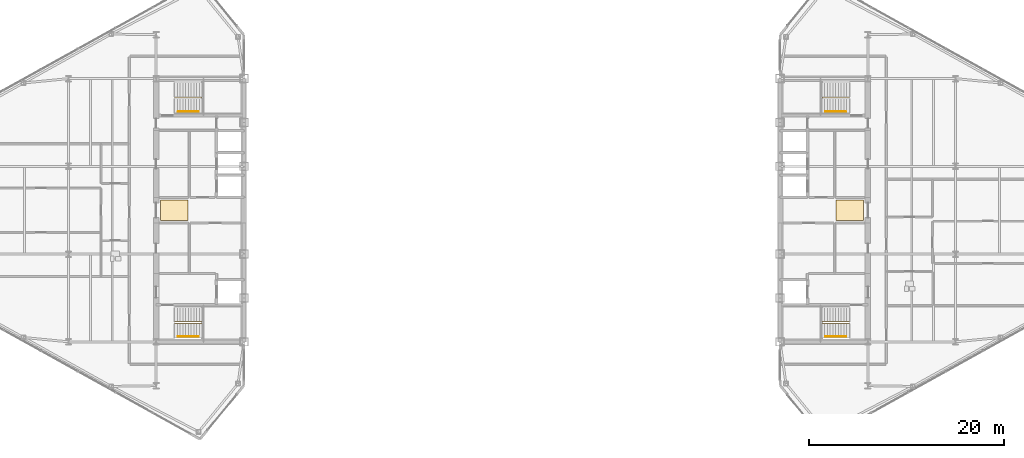
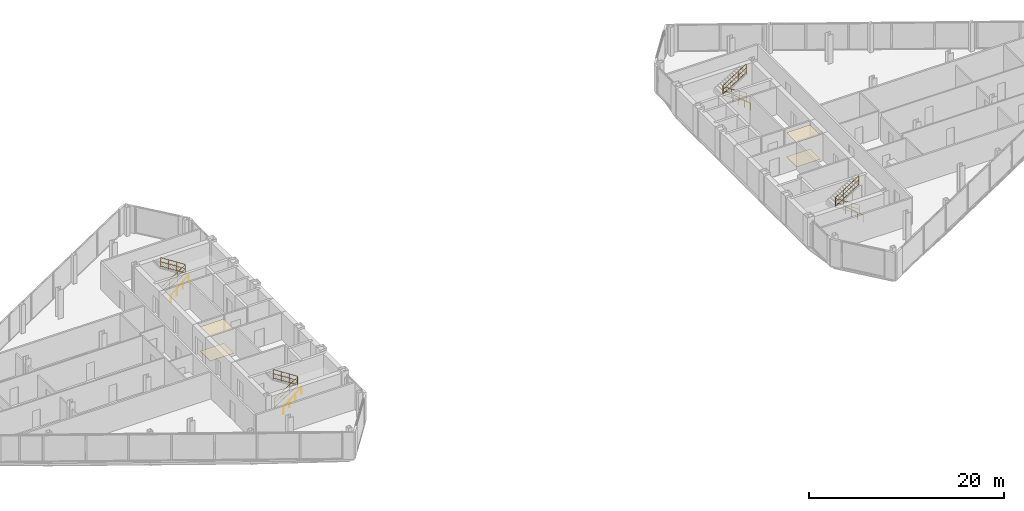
# One storey, part 24 of 25: 8 railings, 4 coverings.
"""IFC4 building model written with IfcOpenShell, lengths in metres."""

from ifc_helpers import new_model, si_unit, direction, frame, origin, origin_2d, place, context, subcontext, project, spatial, polyline, circle, outline, extrude, material, layer, layer_set, type_object, element, save


model = new_model("IFC4")

# Units and contexts
model_context = context("Model", 3, precision=1e-05, world=origin(), true_north=direction((0.0, 1.0)))
body_context = subcontext(model_context, "Body", "Model", "MODEL_VIEW")
ifc_project = project(units=[si_unit("LENGTHUNIT", "METRE"), si_unit("AREAUNIT", "SQUARE_METRE"), si_unit("VOLUMEUNIT", "CUBIC_METRE"), si_unit("PLANEANGLEUNIT", "RADIAN"), si_unit("MASSUNIT", "GRAM", prefix="KILO")], contexts=[model_context])

# Site, building, storey
site_placement = place(None, origin())
site = spatial("IfcSite", under=ifc_project, at=site_placement, CompositionType="ELEMENT")
building_placement = place(site_placement, origin())
building = spatial("IfcBuilding", under=site, at=building_placement, Name="Seokmaru Belvedere", CompositionType="ELEMENT")
storey_placement = place(building_placement, frame((0.0, 0.0, 188.699951171875)))
storey = spatial("IfcBuildingStorey", under=building, at=storey_placement, Name="L50", CompositionType="ELEMENT", Elevation=188.699951171875)

# Coverings
ifc_material_1 = material(Name="Engineered White Oak Timber", Category="wood")
ifc_layer_1 = layer(ifc_material_1, 0.02197265625)
ifc_layer_set_1 = layer_set([ifc_layer_1], Name="Engineered White Oak Timber")
covering_type_1 = type_object("IfcCoveringType", Name="Engineered Oak Residence Floor Finish 22", PredefinedType="FLOORING", material=ifc_layer_set_1)
covering_1_placement = place(storey_placement, origin())
element("IfcCovering", 1, at=covering_1_placement, inside=storey, type_object=covering_type_1, Name="L50 W Foyer Floor Finish", PredefinedType="FLOORING", context=body_context, shape_type="SweptSolid", body=[
    extrude(outline(polyline([(-36.050048828125, -1.050048828125), (-33.25, -1.050048828125), (-33.25, 1.050048828125), (-36.050048828125, 1.050048828125), (-36.050048828125, -1.050048828125)])), origin(), (0.0, 0.0, 1.0), 0.02197265625),
])
covering_2_placement = place(storey_placement, origin())
element("IfcCovering", 2, at=covering_2_placement, inside=storey, type_object=covering_type_1, Name="L50 E Foyer Floor Finish", PredefinedType="FLOORING", context=body_context, shape_type="SweptSolid", body=[
    extrude(outline(polyline([(33.25, -1.050048828125), (36.050048828125, -1.050048828125), (36.050048828125, 1.050048828125), (33.25, 1.050048828125), (33.25, -1.050048828125)])), origin(), (0.0, 0.0, 1.0), 0.02197265625),
])
ifc_material_2 = material(Name="Fire-Rated Gypsum Shaftwall")
ifc_layer_2 = layer(ifc_material_2, 0.02490234375)
ifc_layer_set_2 = layer_set([ifc_layer_2], Name="Fire-Rated Gypsum Shaftwall")
covering_type_2 = type_object("IfcCoveringType", Name="Perforated Acoustic Gypsum Suspended Ceiling 25", PredefinedType="CEILING", material=ifc_layer_set_2)
covering_3_placement = place(storey_placement, frame((0.0, 0.0, 3.030029296875)))
element("IfcCovering", 3, at=covering_3_placement, inside=storey, type_object=covering_type_2, Name="L50 W Lift Foyer Acoustic Ceiling", PredefinedType="CEILING", context=body_context, shape_type="SweptSolid", body=[
    extrude(outline(polyline([(-36.050048828125, -1.050048828125), (-33.25, -1.050048828125), (-33.25, 1.050048828125), (-36.050048828125, 1.050048828125), (-36.050048828125, -1.050048828125)])), origin(), (0.0, 0.0, 1.0), 0.02490234375),
])
covering_4_placement = place(storey_placement, frame((0.0, 0.0, 3.030029296875)))
element("IfcCovering", 4, at=covering_4_placement, inside=storey, type_object=covering_type_2, Name="L50 E Lift Foyer Acoustic Ceiling", PredefinedType="CEILING", context=body_context, shape_type="SweptSolid", body=[
    extrude(outline(polyline([(33.25, -1.050048828125), (36.050048828125, -1.050048828125), (36.050048828125, 1.050048828125), (33.25, 1.050048828125), (33.25, -1.050048828125)])), origin(), (0.0, 0.0, 1.0), 0.02490234375),
])

# Railings
ifc_material_3 = material(Name="Stainless Steel 316", Category="steel")
railing_type_1 = type_object("IfcRailingType", Name="Stainless Steel Wall and Flight Handrail 900", PredefinedType="HANDRAIL", material=ifc_material_3)
for number, where, name in (
    (5, (-34.25, -12.949951171875, 0.0), "L50 Stair ST-W1 Wall Handrail"),
    (6, (-34.25, 10.110107421875, 0.0), "L50 Stair ST-W2 Wall Handrail"),
):
    element("IfcRailing", number, at=place(storey_placement, frame(where)), inside=storey, type_object=railing_type_1, Name=name, PredefinedType="HANDRAIL", context=body_context, shape_type="SweptSolid", body=[
        extrude(circle(Radius=0.02392578125, at=origin_2d()), frame((0.0, 0.0, 0.8759765625), z_axis=(0.759262832861, 0.0, 0.650784104474), x_axis=(0.0, 1.0, 0.0)), (0.0, 0.0, 1.0), 2.765869140625),
        extrude(circle(Radius=0.02099609375, at=origin_2d()), origin(), (0.0, 0.0, 1.0), 0.851806640625),
        extrude(circle(Radius=0.02099609375, at=origin_2d()), frame((0.699951171875, 0.0, 0.60009765625)), (0.0, 0.0, 1.0), 0.851806640625),
        extrude(circle(Radius=0.02099609375, at=origin_2d()), frame((1.400146484375, 0.0, 1.199951171875)), (0.0, 0.0, 1.0), 0.851806640625),
        extrude(circle(Radius=0.02099609375, at=origin_2d()), frame((2.10009765625, 0.0, 1.800048828125)), (0.0, 0.0, 1.0), 0.851806640625),
    ])
for number, where, name in (
    (7, (34.25, -12.949951171875, 0.0), "L50 Stair ST-E1 Wall Handrail"),
    (8, (34.25, 10.110107421875, 0.0), "L50 Stair ST-E2 Wall Handrail"),
):
    element("IfcRailing", number, at=place(storey_placement, frame(where)), inside=storey, type_object=railing_type_1, Name=name, PredefinedType="HANDRAIL", context=body_context, shape_type="SweptSolid", body=[
        extrude(circle(Radius=0.02392578125, at=origin_2d()), frame((0.0, 0.0, 0.8759765625), z_axis=(-0.759262832861, 0.0, 0.650784104474), x_axis=(0.0, -1.0, 0.0)), (0.0, 0.0, 1.0), 2.765869140625),
        extrude(circle(Radius=0.02099609375, at=origin_2d()), origin(), (0.0, 0.0, 1.0), 0.851806640625),
        extrude(circle(Radius=0.02099609375, at=origin_2d()), frame((-0.699951171875, 0.0, 0.60009765625)), (0.0, 0.0, 1.0), 0.851806640625),
        extrude(circle(Radius=0.02099609375, at=origin_2d()), frame((-1.400146484375, 0.0, 1.199951171875)), (0.0, 0.0, 1.0), 0.851806640625),
        extrude(circle(Radius=0.02099609375, at=origin_2d()), frame((-2.10009765625, 0.0, 1.800048828125)), (0.0, 0.0, 1.0), 0.851806640625),
    ])
railing_type_2 = type_object("IfcRailingType", Name="Stair Well and Atrium Steel Guardrail 1200", PredefinedType="GUARDRAIL", material=ifc_material_3)
railing_1_placement = place(storey_placement, frame((-34.60009765625, -11.60009765625, 0.0)))
element("IfcRailing", 9, at=railing_1_placement, inside=storey, type_object=railing_type_2, Name="L50 Stair ST-W1 Inner Well Guardrail", PredefinedType="GUARDRAIL", context=body_context, shape_type="SweptSolid", body=[
    extrude(circle(Radius=0.02392578125, at=origin_2d()), frame((0.0, 0.0, 1.17578125), z_axis=(0.841176092368, 0.0, 0.540761298198), x_axis=(0.0, 1.0, 0.0)), (0.0, 0.0, 1.0), 3.32861328125),
    extrude(circle(Radius=0.02392578125, at=origin_2d()), frame((0.0, 0.0, 0.1201171875), z_axis=(0.841176092368, 0.0, 0.540761298198), x_axis=(0.0, 1.0, 0.0)), (0.0, 0.0, 1.0), 3.32861328125),
    extrude(circle(Radius=0.02392578125, at=origin_2d()), frame((0.0, 0.0, 0.659912109375), z_axis=(0.841176092368, 0.0, 0.540761298198), x_axis=(0.0, 1.0, 0.0)), (0.0, 0.0, 1.0), 3.32861328125),
    extrude(circle(Radius=0.02392578125, at=origin_2d()), frame((2.800048828125, 0.0, 2.97607421875), z_axis=(0.0, 1.0, 0.0), x_axis=(-1.0, 0.0, 0.0)), (0.0, 0.0, 1.0), 0.14013671875),
    extrude(circle(Radius=0.02392578125, at=origin_2d()), frame((2.800048828125, 0.0, 1.920166015625), z_axis=(0.0, 1.0, 0.0), x_axis=(-1.0, 0.0, 0.0)), (0.0, 0.0, 1.0), 0.14013671875),
    extrude(circle(Radius=0.02392578125, at=origin_2d()), frame((2.800048828125, 0.0, 2.4599609375), z_axis=(0.0, 1.0, 0.0), x_axis=(-1.0, 0.0, 0.0)), (0.0, 0.0, 1.0), 0.14013671875),
    extrude(circle(Radius=0.02392578125, at=origin_2d()), frame((2.800048828125, 0.14013671875, 2.97607421875), z_axis=(-0.841176092368, 0.0, 0.540761298198), x_axis=(0.0, -1.0, 0.0)), (0.0, 0.0, 1.0), 3.32861328125),
    extrude(circle(Radius=0.02392578125, at=origin_2d()), frame((2.800048828125, 0.14013671875, 1.920166015625), z_axis=(-0.841176092368, 0.0, 0.540761298198), x_axis=(0.0, -1.0, 0.0)), (0.0, 0.0, 1.0), 3.32861328125),
    extrude(circle(Radius=0.02392578125, at=origin_2d()), frame((2.800048828125, 0.14013671875, 2.4599609375), z_axis=(-0.841176092368, 0.0, 0.540761298198), x_axis=(0.0, -1.0, 0.0)), (0.0, 0.0, 1.0), 3.32861328125),
    extrude(circle(Radius=0.02099609375, at=origin_2d()), origin(), (0.0, 0.0, 1.0), 1.15185546875),
    extrude(circle(Radius=0.02099609375, at=origin_2d()), frame((0.933349609375, 0.0, 0.60009765625)), (0.0, 0.0, 1.0), 1.15185546875),
    extrude(circle(Radius=0.02099609375, at=origin_2d()), frame((1.86669921875, 0.0, 1.199951171875)), (0.0, 0.0, 1.0), 1.15185546875),
    extrude(circle(Radius=0.02099609375, at=origin_2d()), frame((2.800048828125, 0.0, 1.800048828125)), (0.0, 0.0, 1.0), 1.15185546875),
    extrude(circle(Radius=0.02099609375, at=origin_2d()), frame((2.800048828125, 0.14013671875, 1.800048828125)), (0.0, 0.0, 1.0), 1.15185546875),
    extrude(circle(Radius=0.02099609375, at=origin_2d()), frame((1.86669921875, 0.14013671875, 2.400146484375)), (0.0, 0.0, 1.0), 1.15185546875),
    extrude(circle(Radius=0.02099609375, at=origin_2d()), frame((0.933349609375, 0.14013671875, 3.0)), (0.0, 0.0, 1.0), 1.15185546875),
    extrude(circle(Radius=0.02099609375, at=origin_2d()), frame((0.0, 0.14013671875, 3.60009765625)), (0.0, 0.0, 1.0), 1.15185546875),
])
railing_2_placement = place(storey_placement, frame((-34.60009765625, 11.4599609375, 0.0)))
element("IfcRailing", 10, at=railing_2_placement, inside=storey, type_object=railing_type_2, Name="L50 Stair ST-W2 Inner Well Guardrail", PredefinedType="GUARDRAIL", context=body_context, shape_type="SweptSolid", body=[
    extrude(circle(Radius=0.02392578125, at=origin_2d()), frame((0.0, 0.0, 1.17578125), z_axis=(0.841176092368, 0.0, 0.540761298198), x_axis=(0.0, 1.0, 0.0)), (0.0, 0.0, 1.0), 3.32861328125),
    extrude(circle(Radius=0.02392578125, at=origin_2d()), frame((0.0, 0.0, 0.1201171875), z_axis=(0.841176092368, 0.0, 0.540761298198), x_axis=(0.0, 1.0, 0.0)), (0.0, 0.0, 1.0), 3.32861328125),
    extrude(circle(Radius=0.02392578125, at=origin_2d()), frame((0.0, 0.0, 0.659912109375), z_axis=(0.841176092368, 0.0, 0.540761298198), x_axis=(0.0, 1.0, 0.0)), (0.0, 0.0, 1.0), 3.32861328125),
    extrude(circle(Radius=0.02392578125, at=origin_2d()), frame((2.800048828125, 0.0, 2.97607421875), z_axis=(0.0, 1.0, 0.0), x_axis=(-1.0, 0.0, 0.0)), (0.0, 0.0, 1.0), 0.14013671875),
    extrude(circle(Radius=0.02392578125, at=origin_2d()), frame((2.800048828125, 0.0, 1.920166015625), z_axis=(0.0, 1.0, 0.0), x_axis=(-1.0, 0.0, 0.0)), (0.0, 0.0, 1.0), 0.14013671875),
    extrude(circle(Radius=0.02392578125, at=origin_2d()), frame((2.800048828125, 0.0, 2.4599609375), z_axis=(0.0, 1.0, 0.0), x_axis=(-1.0, 0.0, 0.0)), (0.0, 0.0, 1.0), 0.14013671875),
    extrude(circle(Radius=0.02392578125, at=origin_2d()), frame((2.800048828125, 0.14013671875, 2.97607421875), z_axis=(-0.841176092368, 0.0, 0.540761298198), x_axis=(0.0, -1.0, 0.0)), (0.0, 0.0, 1.0), 3.32861328125),
    extrude(circle(Radius=0.02392578125, at=origin_2d()), frame((2.800048828125, 0.14013671875, 1.920166015625), z_axis=(-0.841176092368, 0.0, 0.540761298198), x_axis=(0.0, -1.0, 0.0)), (0.0, 0.0, 1.0), 3.32861328125),
    extrude(circle(Radius=0.02392578125, at=origin_2d()), frame((2.800048828125, 0.14013671875, 2.4599609375), z_axis=(-0.841176092368, 0.0, 0.540761298198), x_axis=(0.0, -1.0, 0.0)), (0.0, 0.0, 1.0), 3.32861328125),
    extrude(circle(Radius=0.02099609375, at=origin_2d()), origin(), (0.0, 0.0, 1.0), 1.15185546875),
    extrude(circle(Radius=0.02099609375, at=origin_2d()), frame((0.933349609375, 0.0, 0.60009765625)), (0.0, 0.0, 1.0), 1.15185546875),
    extrude(circle(Radius=0.02099609375, at=origin_2d()), frame((1.86669921875, 0.0, 1.199951171875)), (0.0, 0.0, 1.0), 1.15185546875),
    extrude(circle(Radius=0.02099609375, at=origin_2d()), frame((2.800048828125, 0.0, 1.800048828125)), (0.0, 0.0, 1.0), 1.15185546875),
    extrude(circle(Radius=0.02099609375, at=origin_2d()), frame((2.800048828125, 0.14013671875, 1.800048828125)), (0.0, 0.0, 1.0), 1.15185546875),
    extrude(circle(Radius=0.02099609375, at=origin_2d()), frame((1.86669921875, 0.14013671875, 2.400146484375)), (0.0, 0.0, 1.0), 1.15185546875),
    extrude(circle(Radius=0.02099609375, at=origin_2d()), frame((0.933349609375, 0.14013671875, 3.0)), (0.0, 0.0, 1.0), 1.15185546875),
    extrude(circle(Radius=0.02099609375, at=origin_2d()), frame((0.0, 0.14013671875, 3.60009765625)), (0.0, 0.0, 1.0), 1.15185546875),
])
railing_3_placement = place(storey_placement, frame((34.60009765625, -11.60009765625, 0.0)))
element("IfcRailing", 11, at=railing_3_placement, inside=storey, type_object=railing_type_2, Name="L50 Stair ST-E1 Inner Well Guardrail", PredefinedType="GUARDRAIL", context=body_context, shape_type="SweptSolid", body=[
    extrude(circle(Radius=0.02392578125, at=origin_2d()), frame((0.0, 0.0, 1.17578125), z_axis=(-0.841176092368, 0.0, 0.540761298198), x_axis=(0.0, -1.0, 0.0)), (0.0, 0.0, 1.0), 3.32861328125),
    extrude(circle(Radius=0.02392578125, at=origin_2d()), frame((0.0, 0.0, 0.1201171875), z_axis=(-0.841176092368, 0.0, 0.540761298198), x_axis=(0.0, -1.0, 0.0)), (0.0, 0.0, 1.0), 3.32861328125),
    extrude(circle(Radius=0.02392578125, at=origin_2d()), frame((0.0, 0.0, 0.659912109375), z_axis=(-0.841176092368, 0.0, 0.540761298198), x_axis=(0.0, -1.0, 0.0)), (0.0, 0.0, 1.0), 3.32861328125),
    extrude(circle(Radius=0.02392578125, at=origin_2d()), frame((-2.800048828125, 0.0, 2.97607421875), z_axis=(0.0, 1.0, 0.0), x_axis=(-1.0, 0.0, 0.0)), (0.0, 0.0, 1.0), 0.14013671875),
    extrude(circle(Radius=0.02392578125, at=origin_2d()), frame((-2.800048828125, 0.0, 1.920166015625), z_axis=(0.0, 1.0, 0.0), x_axis=(-1.0, 0.0, 0.0)), (0.0, 0.0, 1.0), 0.14013671875),
    extrude(circle(Radius=0.02392578125, at=origin_2d()), frame((-2.800048828125, 0.0, 2.4599609375), z_axis=(0.0, 1.0, 0.0), x_axis=(-1.0, 0.0, 0.0)), (0.0, 0.0, 1.0), 0.14013671875),
    extrude(circle(Radius=0.02392578125, at=origin_2d()), frame((-2.800048828125, 0.14013671875, 2.97607421875), z_axis=(0.841176092368, 0.0, 0.540761298198), x_axis=(0.0, 1.0, 0.0)), (0.0, 0.0, 1.0), 3.32861328125),
    extrude(circle(Radius=0.02392578125, at=origin_2d()), frame((-2.800048828125, 0.14013671875, 1.920166015625), z_axis=(0.841176092368, 0.0, 0.540761298198), x_axis=(0.0, 1.0, 0.0)), (0.0, 0.0, 1.0), 3.32861328125),
    extrude(circle(Radius=0.02392578125, at=origin_2d()), frame((-2.800048828125, 0.14013671875, 2.4599609375), z_axis=(0.841176092368, 0.0, 0.540761298198), x_axis=(0.0, 1.0, 0.0)), (0.0, 0.0, 1.0), 3.32861328125),
    extrude(circle(Radius=0.02099609375, at=origin_2d()), origin(), (0.0, 0.0, 1.0), 1.15185546875),
    extrude(circle(Radius=0.02099609375, at=origin_2d()), frame((-0.933349609375, 0.0, 0.60009765625)), (0.0, 0.0, 1.0), 1.15185546875),
    extrude(circle(Radius=0.02099609375, at=origin_2d()), frame((-1.86669921875, 0.0, 1.199951171875)), (0.0, 0.0, 1.0), 1.15185546875),
    extrude(circle(Radius=0.02099609375, at=origin_2d()), frame((-2.800048828125, 0.0, 1.800048828125)), (0.0, 0.0, 1.0), 1.15185546875),
    extrude(circle(Radius=0.02099609375, at=origin_2d()), frame((-2.800048828125, 0.14013671875, 1.800048828125)), (0.0, 0.0, 1.0), 1.15185546875),
    extrude(circle(Radius=0.02099609375, at=origin_2d()), frame((-1.86669921875, 0.14013671875, 2.400146484375)), (0.0, 0.0, 1.0), 1.15185546875),
    extrude(circle(Radius=0.02099609375, at=origin_2d()), frame((-0.933349609375, 0.14013671875, 3.0)), (0.0, 0.0, 1.0), 1.15185546875),
    extrude(circle(Radius=0.02099609375, at=origin_2d()), frame((0.0, 0.14013671875, 3.60009765625)), (0.0, 0.0, 1.0), 1.15185546875),
])
railing_4_placement = place(storey_placement, frame((34.60009765625, 11.4599609375, 0.0)))
element("IfcRailing", 12, at=railing_4_placement, inside=storey, type_object=railing_type_2, Name="L50 Stair ST-E2 Inner Well Guardrail", PredefinedType="GUARDRAIL", context=body_context, shape_type="SweptSolid", body=[
    extrude(circle(Radius=0.02392578125, at=origin_2d()), frame((0.0, 0.0, 1.17578125), z_axis=(-0.841176092368, 0.0, 0.540761298198), x_axis=(0.0, -1.0, 0.0)), (0.0, 0.0, 1.0), 3.32861328125),
    extrude(circle(Radius=0.02392578125, at=origin_2d()), frame((0.0, 0.0, 0.1201171875), z_axis=(-0.841176092368, 0.0, 0.540761298198), x_axis=(0.0, -1.0, 0.0)), (0.0, 0.0, 1.0), 3.32861328125),
    extrude(circle(Radius=0.02392578125, at=origin_2d()), frame((0.0, 0.0, 0.659912109375), z_axis=(-0.841176092368, 0.0, 0.540761298198), x_axis=(0.0, -1.0, 0.0)), (0.0, 0.0, 1.0), 3.32861328125),
    extrude(circle(Radius=0.02392578125, at=origin_2d()), frame((-2.800048828125, 0.0, 2.97607421875), z_axis=(0.0, 1.0, 0.0), x_axis=(-1.0, 0.0, 0.0)), (0.0, 0.0, 1.0), 0.14013671875),
    extrude(circle(Radius=0.02392578125, at=origin_2d()), frame((-2.800048828125, 0.0, 1.920166015625), z_axis=(0.0, 1.0, 0.0), x_axis=(-1.0, 0.0, 0.0)), (0.0, 0.0, 1.0), 0.14013671875),
    extrude(circle(Radius=0.02392578125, at=origin_2d()), frame((-2.800048828125, 0.0, 2.4599609375), z_axis=(0.0, 1.0, 0.0), x_axis=(-1.0, 0.0, 0.0)), (0.0, 0.0, 1.0), 0.14013671875),
    extrude(circle(Radius=0.02392578125, at=origin_2d()), frame((-2.800048828125, 0.14013671875, 2.97607421875), z_axis=(0.841176092368, 0.0, 0.540761298198), x_axis=(0.0, 1.0, 0.0)), (0.0, 0.0, 1.0), 3.32861328125),
    extrude(circle(Radius=0.02392578125, at=origin_2d()), frame((-2.800048828125, 0.14013671875, 1.920166015625), z_axis=(0.841176092368, 0.0, 0.540761298198), x_axis=(0.0, 1.0, 0.0)), (0.0, 0.0, 1.0), 3.32861328125),
    extrude(circle(Radius=0.02392578125, at=origin_2d()), frame((-2.800048828125, 0.14013671875, 2.4599609375), z_axis=(0.841176092368, 0.0, 0.540761298198), x_axis=(0.0, 1.0, 0.0)), (0.0, 0.0, 1.0), 3.32861328125),
    extrude(circle(Radius=0.02099609375, at=origin_2d()), origin(), (0.0, 0.0, 1.0), 1.15185546875),
    extrude(circle(Radius=0.02099609375, at=origin_2d()), frame((-0.933349609375, 0.0, 0.60009765625)), (0.0, 0.0, 1.0), 1.15185546875),
    extrude(circle(Radius=0.02099609375, at=origin_2d()), frame((-1.86669921875, 0.0, 1.199951171875)), (0.0, 0.0, 1.0), 1.15185546875),
    extrude(circle(Radius=0.02099609375, at=origin_2d()), frame((-2.800048828125, 0.0, 1.800048828125)), (0.0, 0.0, 1.0), 1.15185546875),
    extrude(circle(Radius=0.02099609375, at=origin_2d()), frame((-2.800048828125, 0.14013671875, 1.800048828125)), (0.0, 0.0, 1.0), 1.15185546875),
    extrude(circle(Radius=0.02099609375, at=origin_2d()), frame((-1.86669921875, 0.14013671875, 2.400146484375)), (0.0, 0.0, 1.0), 1.15185546875),
    extrude(circle(Radius=0.02099609375, at=origin_2d()), frame((-0.933349609375, 0.14013671875, 3.0)), (0.0, 0.0, 1.0), 1.15185546875),
    extrude(circle(Radius=0.02099609375, at=origin_2d()), frame((0.0, 0.14013671875, 3.60009765625)), (0.0, 0.0, 1.0), 1.15185546875),
])

save(model, "model.ifc")
